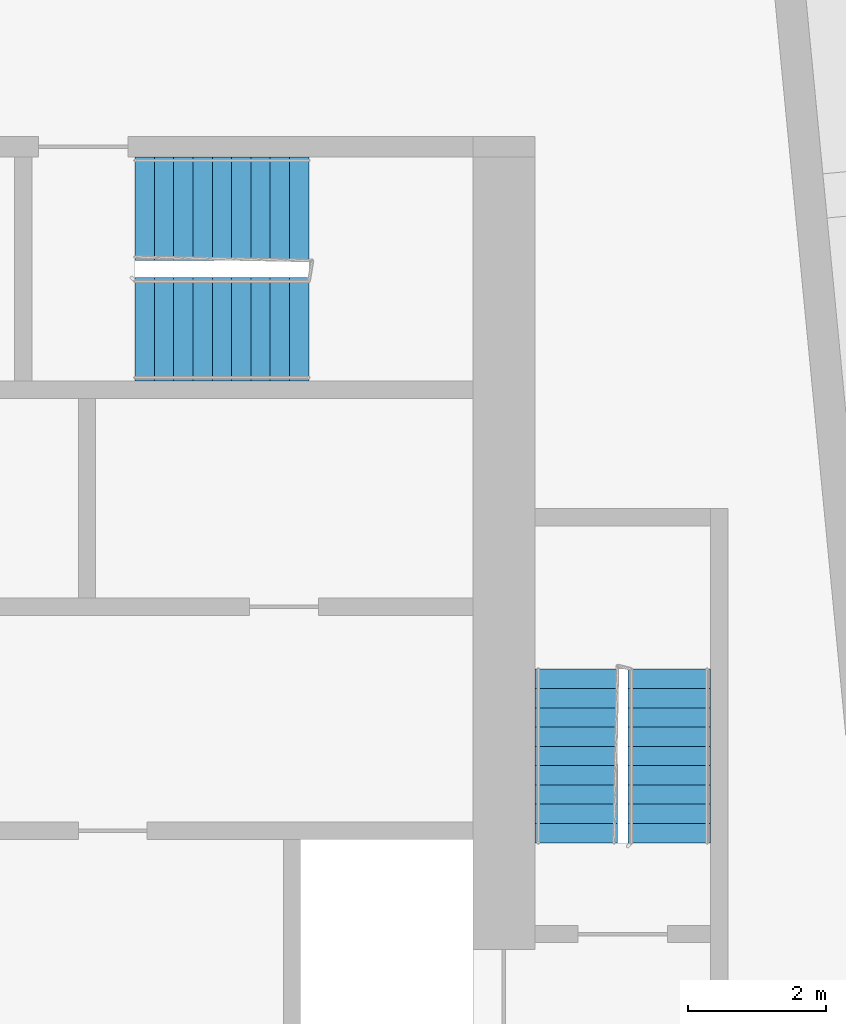
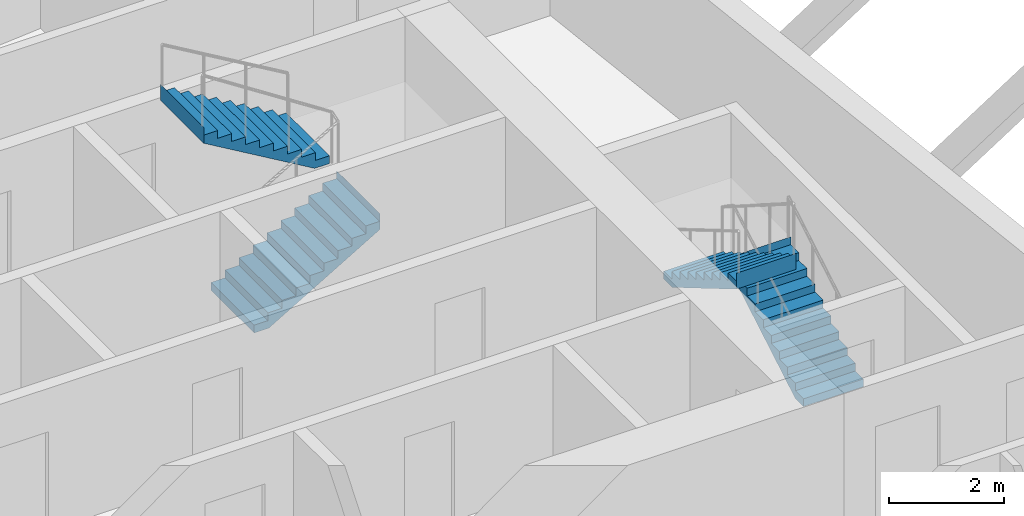
# One storey, part 10 of 12: 4 stair flights, 2 elements without a shape of their own.
"""IFC4 building model written with IfcOpenShell, lengths in metres."""

from ifc_helpers import new_model, si_unit, direction, frame, origin, place, context, subcontext, project, spatial, faceted_brep, material, type_object, element, aggregate, save


model = new_model("IFC4")

# Units and contexts
model_context = context("Model", 3, precision=1e-05, world=origin(), true_north=direction((0.0, 1.0)))
body_context = subcontext(model_context, "Body", "Model", "MODEL_VIEW")
ifc_project = project(units=[si_unit("LENGTHUNIT", "METRE"), si_unit("AREAUNIT", "SQUARE_METRE"), si_unit("VOLUMEUNIT", "CUBIC_METRE"), si_unit("PLANEANGLEUNIT", "RADIAN"), si_unit("MASSUNIT", "GRAM", prefix="KILO")], contexts=[model_context])

# Site, building, storey
site_placement = place(None, origin())
site = spatial("IfcSite", under=ifc_project, at=site_placement, CompositionType="ELEMENT")
building_placement = place(site_placement, origin())
building = spatial("IfcBuilding", under=site, at=building_placement, Name="Kajstack Hotel Tower", CompositionType="ELEMENT")
storey_placement = place(building_placement, frame((0.0, 0.0, 278.39990234375)))
storey = spatial("IfcBuildingStorey", under=building, at=storey_placement, Name="L69", CompositionType="ELEMENT", Elevation=278.39990234375)

# Stair, stair flights
ifc_material = material(Name="Concrete C40/50", Category="concrete")
stair_type_1 = type_object("IfcStairType", Name="Exit stair 1200", PredefinedType="HALF_TURN_STAIR", material=ifc_material)
stair_1_placement = place(storey_placement, origin())
stair_1 = element("IfcStair", 1, at=stair_1_placement, inside=storey, type_object=stair_type_1, Name="L69 stair E1", PredefinedType="HALF_TURN_STAIR")
stair_flight_type_1 = type_object("IfcStairFlightType", Name="Exit stair flight 1200", PredefinedType="STRAIGHT", material=ifc_material)
stair_flight_1_placement = place(storey_placement, frame((33.449951171875, 5.25, 0.0), z_axis=(0.0, 0.0, 1.0), x_axis=(0.0, 1.0, 0.0)))
stair_flight_1 = element("IfcStairFlight", 2, at=stair_flight_1_placement, type_object=stair_flight_type_1, Name="E1 flight 1", NumberOfRisers=10, NumberOfTreads=9, PredefinedType="STRAIGHT", RiserHeight=0.165, TreadLength=0.28, context=body_context, shape_type="Brep", body=[
    faceted_brep([(0.295654296875, -0.60009765625, 0.0), (2.5205078125, -0.60009765625, 1.31103515625), (2.5205078125, -0.60009765625, 1.64990234375), (2.52001953125, -0.60009765625, 1.64990234375), (2.52001953125, -0.60009765625, 1.485107421875), (2.239990234375, -0.60009765625, 1.485107421875), (2.239990234375, -0.60009765625, 1.320068359375), (1.9599609375, -0.60009765625, 1.320068359375), (1.9599609375, -0.60009765625, 1.155029296875), (1.679931640625, -0.60009765625, 1.155029296875), (1.679931640625, -0.60009765625, 0.989990234375), (1.39990234375, -0.60009765625, 0.989990234375), (1.39990234375, -0.60009765625, 0.824951171875), (1.1201171875, -0.60009765625, 0.824951171875), (1.1201171875, -0.60009765625, 0.659912109375), (0.840087890625, -0.60009765625, 0.659912109375), (0.840087890625, -0.60009765625, 0.4951171875), (0.56005859375, -0.60009765625, 0.4951171875), (0.56005859375, -0.60009765625, 0.330078125), (0.280029296875, -0.60009765625, 0.330078125), (0.280029296875, -0.60009765625, 0.1650390625), (-0.00048828125, -0.60009765625, 0.1650390625), (-0.00048828125, -0.60009765625, 0.0), (-0.00048828125, 0.60009765625, 0.0), (-0.00048828125, 0.60009765625, 0.1650390625), (0.280029296875, 0.60009765625, 0.1650390625), (0.280029296875, 0.60009765625, 0.330078125), (0.56005859375, 0.60009765625, 0.330078125), (0.56005859375, 0.60009765625, 0.4951171875), (0.840087890625, 0.60009765625, 0.4951171875), (0.840087890625, 0.60009765625, 0.659912109375), (1.1201171875, 0.60009765625, 0.659912109375), (1.1201171875, 0.60009765625, 0.824951171875), (1.39990234375, 0.60009765625, 0.824951171875), (1.39990234375, 0.60009765625, 0.989990234375), (1.679931640625, 0.60009765625, 0.989990234375), (1.679931640625, 0.60009765625, 1.155029296875), (1.9599609375, 0.60009765625, 1.155029296875), (1.9599609375, 0.60009765625, 1.320068359375), (2.239990234375, 0.60009765625, 1.320068359375), (2.239990234375, 0.60009765625, 1.485107421875), (2.52001953125, 0.60009765625, 1.485107421875), (2.52001953125, 0.60009765625, 1.64990234375), (2.5205078125, 0.60009765625, 1.64990234375), (2.5205078125, 0.60009765625, 1.31103515625), (0.295654296875, 0.60009765625, 0.0), (-0.00048828125, -0.300048828125, 0.1650390625), (-0.00048828125, 0.0, 0.1650390625), (-0.00048828125, 0.300048828125, 0.1650390625), (-0.00048828125, 0.300048828125, 0.0), (-0.00048828125, 0.0, 0.0), (-0.00048828125, -0.300048828125, 0.0), (0.280029296875, -0.300048828125, 0.1650390625), (0.280029296875, 0.0, 0.1650390625), (0.280029296875, 0.300048828125, 0.1650390625), (0.280029296875, -0.300048828125, 0.330078125), (0.280029296875, 0.0, 0.330078125), (0.280029296875, 0.300048828125, 0.330078125), (0.56005859375, -0.300048828125, 0.330078125), (0.56005859375, 0.0, 0.330078125), (0.56005859375, 0.300048828125, 0.330078125), (0.56005859375, -0.300048828125, 0.4951171875), (0.56005859375, 0.0, 0.4951171875), (0.56005859375, 0.300048828125, 0.4951171875), (0.840087890625, -0.300048828125, 0.4951171875), (0.840087890625, 0.0, 0.4951171875), (0.840087890625, 0.300048828125, 0.4951171875), (0.840087890625, -0.300048828125, 0.659912109375), (0.840087890625, 0.0, 0.659912109375), (0.840087890625, 0.300048828125, 0.659912109375), (1.1201171875, -0.300048828125, 0.659912109375), (1.1201171875, 0.0, 0.659912109375), (1.1201171875, 0.300048828125, 0.659912109375), (1.1201171875, -0.300048828125, 0.824951171875), (1.1201171875, 0.0, 0.824951171875), (1.1201171875, 0.300048828125, 0.824951171875), (1.39990234375, -0.300048828125, 0.824951171875), (1.39990234375, 0.0, 0.824951171875), (1.39990234375, 0.300048828125, 0.824951171875), (1.39990234375, -0.300048828125, 0.989990234375), (1.39990234375, 0.0, 0.989990234375), (1.39990234375, 0.300048828125, 0.989990234375), (1.679931640625, -0.300048828125, 0.989990234375), (1.679931640625, 0.0, 0.989990234375), (1.679931640625, 0.300048828125, 0.989990234375), (1.679931640625, -0.300048828125, 1.155029296875), (1.679931640625, 0.0, 1.155029296875), (1.679931640625, 0.300048828125, 1.155029296875), (1.9599609375, -0.300048828125, 1.155029296875), (1.9599609375, 0.0, 1.155029296875), (1.9599609375, 0.300048828125, 1.155029296875), (1.9599609375, -0.300048828125, 1.320068359375), (1.9599609375, 0.0, 1.320068359375), (1.9599609375, 0.300048828125, 1.320068359375), (2.239990234375, -0.300048828125, 1.320068359375), (2.239990234375, 0.0, 1.320068359375), (2.239990234375, 0.300048828125, 1.320068359375), (2.239990234375, -0.300048828125, 1.485107421875), (2.239990234375, 0.0, 1.485107421875), (2.239990234375, 0.300048828125, 1.485107421875), (2.52001953125, -0.300048828125, 1.485107421875), (2.52001953125, 0.0, 1.485107421875), (2.52001953125, 0.300048828125, 1.485107421875), (2.52001953125, -0.300048828125, 1.64990234375), (2.52001953125, 0.0, 1.64990234375), (2.52001953125, 0.300048828125, 1.64990234375), (2.5205078125, -0.300048828125, 1.64990234375), (2.5205078125, 0.0, 1.64990234375), (2.5205078125, 0.300048828125, 1.64990234375), (2.5205078125, -0.300048828125, 1.31103515625), (2.5205078125, 0.0, 1.31103515625), (2.5205078125, 0.300048828125, 1.31103515625), (0.295654296875, -0.300048828125, 0.0), (0.295654296875, 0.0, 0.0), (0.295654296875, 0.300048828125, 0.0)], [[[0, 1, 2, 3, 4, 5, 6, 7, 8, 9, 10, 11, 12, 13, 14, 15, 16, 17, 18, 19, 20, 21, 22]], [[23, 24, 25, 26, 27, 28, 29, 30, 31, 32, 33, 34, 35, 36, 37, 38, 39, 40, 41, 42, 43, 44, 45]], [[21, 46, 47, 48, 24, 23, 49, 50, 51, 22]], [[20, 52, 53, 54, 25, 24, 48, 47, 46, 21]], [[19, 55, 56, 57, 26, 25, 54, 53, 52, 20]], [[18, 58, 59, 60, 27, 26, 57, 56, 55, 19]], [[17, 61, 62, 63, 28, 27, 60, 59, 58, 18]], [[16, 64, 65, 66, 29, 28, 63, 62, 61, 17]], [[15, 67, 68, 69, 30, 29, 66, 65, 64, 16]], [[14, 70, 71, 72, 31, 30, 69, 68, 67, 15]], [[13, 73, 74, 75, 32, 31, 72, 71, 70, 14]], [[12, 76, 77, 78, 33, 32, 75, 74, 73, 13]], [[11, 79, 80, 81, 34, 33, 78, 77, 76, 12]], [[10, 82, 83, 84, 35, 34, 81, 80, 79, 11]], [[9, 85, 86, 87, 36, 35, 84, 83, 82, 10]], [[8, 88, 89, 90, 37, 36, 87, 86, 85, 9]], [[7, 91, 92, 93, 38, 37, 90, 89, 88, 8]], [[6, 94, 95, 96, 39, 38, 93, 92, 91, 7]], [[5, 97, 98, 99, 40, 39, 96, 95, 94, 6]], [[4, 100, 101, 102, 41, 40, 99, 98, 97, 5]], [[3, 103, 104, 105, 42, 41, 102, 101, 100, 4]], [[2, 106, 107, 108, 43, 42, 105, 104, 103, 3]], [[1, 109, 110, 111, 44, 43, 108, 107, 106, 2]], [[0, 112, 113, 114, 45, 44, 111, 110, 109, 1]], [[22, 51, 50, 49, 23, 45, 114, 113, 112, 0]]]),
])
stair_flight_2_placement = place(storey_placement, frame((32.10009765625, 7.77001953125, 1.650146484375), z_axis=(0.0, 0.0, 1.0), x_axis=(0.0, -1.0, 0.0)))
stair_flight_2 = element("IfcStairFlight", 3, at=stair_flight_2_placement, type_object=stair_flight_type_1, Name="E1 flight 2", NumberOfRisers=10, NumberOfTreads=9, PredefinedType="STRAIGHT", RiserHeight=0.165, TreadLength=0.28, context=body_context, shape_type="Brep", body=[
    faceted_brep([(0.295654296875, -0.60009765625, 0.0), (2.5205078125, -0.60009765625, 1.31103515625), (2.5205078125, -0.60009765625, 1.64990234375), (2.52001953125, -0.60009765625, 1.64990234375), (2.52001953125, -0.60009765625, 1.485107421875), (2.239990234375, -0.60009765625, 1.485107421875), (2.239990234375, -0.60009765625, 1.320068359375), (1.9599609375, -0.60009765625, 1.320068359375), (1.9599609375, -0.60009765625, 1.155029296875), (1.679931640625, -0.60009765625, 1.155029296875), (1.679931640625, -0.60009765625, 0.989990234375), (1.39990234375, -0.60009765625, 0.989990234375), (1.39990234375, -0.60009765625, 0.824951171875), (1.1201171875, -0.60009765625, 0.824951171875), (1.1201171875, -0.60009765625, 0.659912109375), (0.840087890625, -0.60009765625, 0.659912109375), (0.840087890625, -0.60009765625, 0.4951171875), (0.56005859375, -0.60009765625, 0.4951171875), (0.56005859375, -0.60009765625, 0.330078125), (0.280029296875, -0.60009765625, 0.330078125), (0.280029296875, -0.60009765625, 0.1650390625), (-0.00048828125, -0.60009765625, 0.1650390625), (-0.00048828125, -0.60009765625, 0.0), (-0.00048828125, 0.60009765625, 0.0), (-0.00048828125, 0.60009765625, 0.1650390625), (0.280029296875, 0.60009765625, 0.1650390625), (0.280029296875, 0.60009765625, 0.330078125), (0.56005859375, 0.60009765625, 0.330078125), (0.56005859375, 0.60009765625, 0.4951171875), (0.840087890625, 0.60009765625, 0.4951171875), (0.840087890625, 0.60009765625, 0.659912109375), (1.1201171875, 0.60009765625, 0.659912109375), (1.1201171875, 0.60009765625, 0.824951171875), (1.39990234375, 0.60009765625, 0.824951171875), (1.39990234375, 0.60009765625, 0.989990234375), (1.679931640625, 0.60009765625, 0.989990234375), (1.679931640625, 0.60009765625, 1.155029296875), (1.9599609375, 0.60009765625, 1.155029296875), (1.9599609375, 0.60009765625, 1.320068359375), (2.239990234375, 0.60009765625, 1.320068359375), (2.239990234375, 0.60009765625, 1.485107421875), (2.52001953125, 0.60009765625, 1.485107421875), (2.52001953125, 0.60009765625, 1.64990234375), (2.5205078125, 0.60009765625, 1.64990234375), (2.5205078125, 0.60009765625, 1.31103515625), (0.295654296875, 0.60009765625, 0.0), (-0.00048828125, -0.300048828125, 0.1650390625), (-0.00048828125, 0.0, 0.1650390625), (-0.00048828125, 0.300048828125, 0.1650390625), (-0.00048828125, 0.300048828125, 0.0), (-0.00048828125, 0.0, 0.0), (-0.00048828125, -0.300048828125, 0.0), (0.280029296875, -0.300048828125, 0.1650390625), (0.280029296875, 0.0, 0.1650390625), (0.280029296875, 0.300048828125, 0.1650390625), (0.280029296875, -0.300048828125, 0.330078125), (0.280029296875, 0.0, 0.330078125), (0.280029296875, 0.300048828125, 0.330078125), (0.56005859375, -0.300048828125, 0.330078125), (0.56005859375, 0.0, 0.330078125), (0.56005859375, 0.300048828125, 0.330078125), (0.56005859375, -0.300048828125, 0.4951171875), (0.56005859375, 0.0, 0.4951171875), (0.56005859375, 0.300048828125, 0.4951171875), (0.840087890625, -0.300048828125, 0.4951171875), (0.840087890625, 0.0, 0.4951171875), (0.840087890625, 0.300048828125, 0.4951171875), (0.840087890625, -0.300048828125, 0.659912109375), (0.840087890625, 0.0, 0.659912109375), (0.840087890625, 0.300048828125, 0.659912109375), (1.1201171875, -0.300048828125, 0.659912109375), (1.1201171875, 0.0, 0.659912109375), (1.1201171875, 0.300048828125, 0.659912109375), (1.1201171875, -0.300048828125, 0.824951171875), (1.1201171875, 0.0, 0.824951171875), (1.1201171875, 0.300048828125, 0.824951171875), (1.39990234375, -0.300048828125, 0.824951171875), (1.39990234375, 0.0, 0.824951171875), (1.39990234375, 0.300048828125, 0.824951171875), (1.39990234375, -0.300048828125, 0.989990234375), (1.39990234375, 0.0, 0.989990234375), (1.39990234375, 0.300048828125, 0.989990234375), (1.679931640625, -0.300048828125, 0.989990234375), (1.679931640625, 0.0, 0.989990234375), (1.679931640625, 0.300048828125, 0.989990234375), (1.679931640625, -0.300048828125, 1.155029296875), (1.679931640625, 0.0, 1.155029296875), (1.679931640625, 0.300048828125, 1.155029296875), (1.9599609375, -0.300048828125, 1.155029296875), (1.9599609375, 0.0, 1.155029296875), (1.9599609375, 0.300048828125, 1.155029296875), (1.9599609375, -0.300048828125, 1.320068359375), (1.9599609375, 0.0, 1.320068359375), (1.9599609375, 0.300048828125, 1.320068359375), (2.239990234375, -0.300048828125, 1.320068359375), (2.239990234375, 0.0, 1.320068359375), (2.239990234375, 0.300048828125, 1.320068359375), (2.239990234375, -0.300048828125, 1.485107421875), (2.239990234375, 0.0, 1.485107421875), (2.239990234375, 0.300048828125, 1.485107421875), (2.52001953125, -0.300048828125, 1.485107421875), (2.52001953125, 0.0, 1.485107421875), (2.52001953125, 0.300048828125, 1.485107421875), (2.52001953125, -0.300048828125, 1.64990234375), (2.52001953125, 0.0, 1.64990234375), (2.52001953125, 0.300048828125, 1.64990234375), (2.5205078125, -0.300048828125, 1.64990234375), (2.5205078125, 0.0, 1.64990234375), (2.5205078125, 0.300048828125, 1.64990234375), (2.5205078125, -0.300048828125, 1.31103515625), (2.5205078125, 0.0, 1.31103515625), (2.5205078125, 0.300048828125, 1.31103515625), (0.295654296875, -0.300048828125, 0.0), (0.295654296875, 0.0, 0.0), (0.295654296875, 0.300048828125, 0.0)], [[[0, 1, 2, 3, 4, 5, 6, 7, 8, 9, 10, 11, 12, 13, 14, 15, 16, 17, 18, 19, 20, 21, 22]], [[23, 24, 25, 26, 27, 28, 29, 30, 31, 32, 33, 34, 35, 36, 37, 38, 39, 40, 41, 42, 43, 44, 45]], [[21, 46, 47, 48, 24, 23, 49, 50, 51, 22]], [[20, 52, 53, 54, 25, 24, 48, 47, 46, 21]], [[19, 55, 56, 57, 26, 25, 54, 53, 52, 20]], [[18, 58, 59, 60, 27, 26, 57, 56, 55, 19]], [[17, 61, 62, 63, 28, 27, 60, 59, 58, 18]], [[16, 64, 65, 66, 29, 28, 63, 62, 61, 17]], [[15, 67, 68, 69, 30, 29, 66, 65, 64, 16]], [[14, 70, 71, 72, 31, 30, 69, 68, 67, 15]], [[13, 73, 74, 75, 32, 31, 72, 71, 70, 14]], [[12, 76, 77, 78, 33, 32, 75, 74, 73, 13]], [[11, 79, 80, 81, 34, 33, 78, 77, 76, 12]], [[10, 82, 83, 84, 35, 34, 81, 80, 79, 11]], [[9, 85, 86, 87, 36, 35, 84, 83, 82, 10]], [[8, 88, 89, 90, 37, 36, 87, 86, 85, 9]], [[7, 91, 92, 93, 38, 37, 90, 89, 88, 8]], [[6, 94, 95, 96, 39, 38, 93, 92, 91, 7]], [[5, 97, 98, 99, 40, 39, 96, 95, 94, 6]], [[4, 100, 101, 102, 41, 40, 99, 98, 97, 5]], [[3, 103, 104, 105, 42, 41, 102, 101, 100, 4]], [[2, 106, 107, 108, 43, 42, 105, 104, 103, 3]], [[1, 109, 110, 111, 44, 43, 108, 107, 106, 2]], [[0, 112, 113, 114, 45, 44, 111, 110, 109, 1]], [[22, 51, 50, 49, 23, 45, 114, 113, 112, 0]]]),
])
aggregate(stair_1, [stair_flight_1, stair_flight_2])

stair_type_2 = type_object("IfcStairType", Name="Exit stair 1500", PredefinedType="HALF_TURN_STAIR", material=ifc_material)
stair_2_placement = place(storey_placement, origin())
stair_2 = element("IfcStair", 4, at=stair_2_placement, inside=storey, type_object=stair_type_2, Name="L69 stair E3", PredefinedType="HALF_TURN_STAIR")
stair_flight_type_2 = type_object("IfcStairFlightType", Name="Exit stair flight 1500", PredefinedType="STRAIGHT", material=ifc_material)
stair_flight_3_placement = place(storey_placement, frame((25.699951171875, 12.699951171875, 0.0), z_axis=(0.0, 0.0, 1.0), x_axis=(1.0, 0.0, 0.0)))
stair_flight_3 = element("IfcStairFlight", 5, at=stair_flight_3_placement, type_object=stair_flight_type_2, Name="E3 flight 1", NumberOfRisers=10, NumberOfTreads=9, PredefinedType="STRAIGHT", RiserHeight=0.165, TreadLength=0.28, context=body_context, shape_type="Brep", body=[
    faceted_brep([(0.295654296875, -0.75, 0.0), (2.5205078125, -0.75, 1.31103515625), (2.5205078125, -0.75, 1.64990234375), (2.52001953125, -0.75, 1.64990234375), (2.52001953125, -0.75, 1.485107421875), (2.239990234375, -0.75, 1.485107421875), (2.239990234375, -0.75, 1.320068359375), (1.9599609375, -0.75, 1.320068359375), (1.9599609375, -0.75, 1.155029296875), (1.679931640625, -0.75, 1.155029296875), (1.679931640625, -0.75, 0.989990234375), (1.39990234375, -0.75, 0.989990234375), (1.39990234375, -0.75, 0.824951171875), (1.1201171875, -0.75, 0.824951171875), (1.1201171875, -0.75, 0.659912109375), (0.840087890625, -0.75, 0.659912109375), (0.840087890625, -0.75, 0.4951171875), (0.56005859375, -0.75, 0.4951171875), (0.56005859375, -0.75, 0.330078125), (0.280029296875, -0.75, 0.330078125), (0.280029296875, -0.75, 0.1650390625), (-0.00048828125, -0.75, 0.1650390625), (-0.00048828125, -0.75, 0.0), (-0.00048828125, 0.75, 0.0), (-0.00048828125, 0.75, 0.1650390625), (0.280029296875, 0.75, 0.1650390625), (0.280029296875, 0.75, 0.330078125), (0.56005859375, 0.75, 0.330078125), (0.56005859375, 0.75, 0.4951171875), (0.840087890625, 0.75, 0.4951171875), (0.840087890625, 0.75, 0.659912109375), (1.1201171875, 0.75, 0.659912109375), (1.1201171875, 0.75, 0.824951171875), (1.39990234375, 0.75, 0.824951171875), (1.39990234375, 0.75, 0.989990234375), (1.679931640625, 0.75, 0.989990234375), (1.679931640625, 0.75, 1.155029296875), (1.9599609375, 0.75, 1.155029296875), (1.9599609375, 0.75, 1.320068359375), (2.239990234375, 0.75, 1.320068359375), (2.239990234375, 0.75, 1.485107421875), (2.52001953125, 0.75, 1.485107421875), (2.52001953125, 0.75, 1.64990234375), (2.5205078125, 0.75, 1.64990234375), (2.5205078125, 0.75, 1.31103515625), (0.295654296875, 0.75, 0.0), (-0.00048828125, -0.375, 0.1650390625), (-0.00048828125, 0.0, 0.1650390625), (-0.00048828125, 0.375, 0.1650390625), (-0.00048828125, 0.375, 0.0), (-0.00048828125, 0.0, 0.0), (-0.00048828125, -0.375, 0.0), (0.280029296875, -0.375, 0.1650390625), (0.280029296875, 0.0, 0.1650390625), (0.280029296875, 0.375, 0.1650390625), (0.280029296875, -0.375, 0.330078125), (0.280029296875, 0.0, 0.330078125), (0.280029296875, 0.375, 0.330078125), (0.56005859375, -0.375, 0.330078125), (0.56005859375, 0.0, 0.330078125), (0.56005859375, 0.375, 0.330078125), (0.56005859375, -0.375, 0.4951171875), (0.56005859375, 0.0, 0.4951171875), (0.56005859375, 0.375, 0.4951171875), (0.840087890625, -0.375, 0.4951171875), (0.840087890625, 0.0, 0.4951171875), (0.840087890625, 0.375, 0.4951171875), (0.840087890625, -0.375, 0.659912109375), (0.840087890625, 0.0, 0.659912109375), (0.840087890625, 0.375, 0.659912109375), (1.1201171875, -0.375, 0.659912109375), (1.1201171875, 0.0, 0.659912109375), (1.1201171875, 0.375, 0.659912109375), (1.1201171875, -0.375, 0.824951171875), (1.1201171875, 0.0, 0.824951171875), (1.1201171875, 0.375, 0.824951171875), (1.39990234375, -0.375, 0.824951171875), (1.39990234375, 0.0, 0.824951171875), (1.39990234375, 0.375, 0.824951171875), (1.39990234375, -0.375, 0.989990234375), (1.39990234375, 0.0, 0.989990234375), (1.39990234375, 0.375, 0.989990234375), (1.679931640625, -0.375, 0.989990234375), (1.679931640625, 0.0, 0.989990234375), (1.679931640625, 0.375, 0.989990234375), (1.679931640625, -0.375, 1.155029296875), (1.679931640625, 0.0, 1.155029296875), (1.679931640625, 0.375, 1.155029296875), (1.9599609375, -0.375, 1.155029296875), (1.9599609375, 0.0, 1.155029296875), (1.9599609375, 0.375, 1.155029296875), (1.9599609375, -0.375, 1.320068359375), (1.9599609375, 0.0, 1.320068359375), (1.9599609375, 0.375, 1.320068359375), (2.239990234375, -0.375, 1.320068359375), (2.239990234375, 0.0, 1.320068359375), (2.239990234375, 0.375, 1.320068359375), (2.239990234375, -0.375, 1.485107421875), (2.239990234375, 0.0, 1.485107421875), (2.239990234375, 0.375, 1.485107421875), (2.52001953125, -0.375, 1.485107421875), (2.52001953125, 0.0, 1.485107421875), (2.52001953125, 0.375, 1.485107421875), (2.52001953125, -0.375, 1.64990234375), (2.52001953125, 0.0, 1.64990234375), (2.52001953125, 0.375, 1.64990234375), (2.5205078125, -0.375, 1.64990234375), (2.5205078125, 0.0, 1.64990234375), (2.5205078125, 0.375, 1.64990234375), (2.5205078125, -0.375, 1.31103515625), (2.5205078125, 0.0, 1.31103515625), (2.5205078125, 0.375, 1.31103515625), (0.295654296875, -0.375, 0.0), (0.295654296875, 0.0, 0.0), (0.295654296875, 0.375, 0.0)], [[[0, 1, 2, 3, 4, 5, 6, 7, 8, 9, 10, 11, 12, 13, 14, 15, 16, 17, 18, 19, 20, 21, 22]], [[23, 24, 25, 26, 27, 28, 29, 30, 31, 32, 33, 34, 35, 36, 37, 38, 39, 40, 41, 42, 43, 44, 45]], [[21, 46, 47, 48, 24, 23, 49, 50, 51, 22]], [[20, 52, 53, 54, 25, 24, 48, 47, 46, 21]], [[19, 55, 56, 57, 26, 25, 54, 53, 52, 20]], [[18, 58, 59, 60, 27, 26, 57, 56, 55, 19]], [[17, 61, 62, 63, 28, 27, 60, 59, 58, 18]], [[16, 64, 65, 66, 29, 28, 63, 62, 61, 17]], [[15, 67, 68, 69, 30, 29, 66, 65, 64, 16]], [[14, 70, 71, 72, 31, 30, 69, 68, 67, 15]], [[13, 73, 74, 75, 32, 31, 72, 71, 70, 14]], [[12, 76, 77, 78, 33, 32, 75, 74, 73, 13]], [[11, 79, 80, 81, 34, 33, 78, 77, 76, 12]], [[10, 82, 83, 84, 35, 34, 81, 80, 79, 11]], [[9, 85, 86, 87, 36, 35, 84, 83, 82, 10]], [[8, 88, 89, 90, 37, 36, 87, 86, 85, 9]], [[7, 91, 92, 93, 38, 37, 90, 89, 88, 8]], [[6, 94, 95, 96, 39, 38, 93, 92, 91, 7]], [[5, 97, 98, 99, 40, 39, 96, 95, 94, 6]], [[4, 100, 101, 102, 41, 40, 99, 98, 97, 5]], [[3, 103, 104, 105, 42, 41, 102, 101, 100, 4]], [[2, 106, 107, 108, 43, 42, 105, 104, 103, 3]], [[1, 109, 110, 111, 44, 43, 108, 107, 106, 2]], [[0, 112, 113, 114, 45, 44, 111, 110, 109, 1]], [[22, 51, 50, 49, 23, 45, 114, 113, 112, 0]]]),
])
stair_flight_4_placement = place(storey_placement, frame((28.219970703125, 14.449951171875, 1.650146484375), z_axis=(0.0, 0.0, 1.0), x_axis=(-1.0, 0.0, 0.0)))
stair_flight_4 = element("IfcStairFlight", 6, at=stair_flight_4_placement, type_object=stair_flight_type_2, Name="E3 flight 2", NumberOfRisers=10, NumberOfTreads=9, PredefinedType="STRAIGHT", RiserHeight=0.165, TreadLength=0.28, context=body_context, shape_type="Brep", body=[
    faceted_brep([(0.295654296875, -0.75, 0.0), (2.5205078125, -0.75, 1.31103515625), (2.5205078125, -0.75, 1.64990234375), (2.52001953125, -0.75, 1.64990234375), (2.52001953125, -0.75, 1.485107421875), (2.239990234375, -0.75, 1.485107421875), (2.239990234375, -0.75, 1.320068359375), (1.9599609375, -0.75, 1.320068359375), (1.9599609375, -0.75, 1.155029296875), (1.679931640625, -0.75, 1.155029296875), (1.679931640625, -0.75, 0.989990234375), (1.39990234375, -0.75, 0.989990234375), (1.39990234375, -0.75, 0.824951171875), (1.1201171875, -0.75, 0.824951171875), (1.1201171875, -0.75, 0.659912109375), (0.840087890625, -0.75, 0.659912109375), (0.840087890625, -0.75, 0.4951171875), (0.56005859375, -0.75, 0.4951171875), (0.56005859375, -0.75, 0.330078125), (0.280029296875, -0.75, 0.330078125), (0.280029296875, -0.75, 0.1650390625), (-0.00048828125, -0.75, 0.1650390625), (-0.00048828125, -0.75, 0.0), (-0.00048828125, 0.75, 0.0), (-0.00048828125, 0.75, 0.1650390625), (0.280029296875, 0.75, 0.1650390625), (0.280029296875, 0.75, 0.330078125), (0.56005859375, 0.75, 0.330078125), (0.56005859375, 0.75, 0.4951171875), (0.840087890625, 0.75, 0.4951171875), (0.840087890625, 0.75, 0.659912109375), (1.1201171875, 0.75, 0.659912109375), (1.1201171875, 0.75, 0.824951171875), (1.39990234375, 0.75, 0.824951171875), (1.39990234375, 0.75, 0.989990234375), (1.679931640625, 0.75, 0.989990234375), (1.679931640625, 0.75, 1.155029296875), (1.9599609375, 0.75, 1.155029296875), (1.9599609375, 0.75, 1.320068359375), (2.239990234375, 0.75, 1.320068359375), (2.239990234375, 0.75, 1.485107421875), (2.52001953125, 0.75, 1.485107421875), (2.52001953125, 0.75, 1.64990234375), (2.5205078125, 0.75, 1.64990234375), (2.5205078125, 0.75, 1.31103515625), (0.295654296875, 0.75, 0.0), (-0.00048828125, -0.375, 0.1650390625), (-0.00048828125, 0.0, 0.1650390625), (-0.00048828125, 0.375, 0.1650390625), (-0.00048828125, 0.375, 0.0), (-0.00048828125, 0.0, 0.0), (-0.00048828125, -0.375, 0.0), (0.280029296875, -0.375, 0.1650390625), (0.280029296875, 0.0, 0.1650390625), (0.280029296875, 0.375, 0.1650390625), (0.280029296875, -0.375, 0.330078125), (0.280029296875, 0.0, 0.330078125), (0.280029296875, 0.375, 0.330078125), (0.56005859375, -0.375, 0.330078125), (0.56005859375, 0.0, 0.330078125), (0.56005859375, 0.375, 0.330078125), (0.56005859375, -0.375, 0.4951171875), (0.56005859375, 0.0, 0.4951171875), (0.56005859375, 0.375, 0.4951171875), (0.840087890625, -0.375, 0.4951171875), (0.840087890625, 0.0, 0.4951171875), (0.840087890625, 0.375, 0.4951171875), (0.840087890625, -0.375, 0.659912109375), (0.840087890625, 0.0, 0.659912109375), (0.840087890625, 0.375, 0.659912109375), (1.1201171875, -0.375, 0.659912109375), (1.1201171875, 0.0, 0.659912109375), (1.1201171875, 0.375, 0.659912109375), (1.1201171875, -0.375, 0.824951171875), (1.1201171875, 0.0, 0.824951171875), (1.1201171875, 0.375, 0.824951171875), (1.39990234375, -0.375, 0.824951171875), (1.39990234375, 0.0, 0.824951171875), (1.39990234375, 0.375, 0.824951171875), (1.39990234375, -0.375, 0.989990234375), (1.39990234375, 0.0, 0.989990234375), (1.39990234375, 0.375, 0.989990234375), (1.679931640625, -0.375, 0.989990234375), (1.679931640625, 0.0, 0.989990234375), (1.679931640625, 0.375, 0.989990234375), (1.679931640625, -0.375, 1.155029296875), (1.679931640625, 0.0, 1.155029296875), (1.679931640625, 0.375, 1.155029296875), (1.9599609375, -0.375, 1.155029296875), (1.9599609375, 0.0, 1.155029296875), (1.9599609375, 0.375, 1.155029296875), (1.9599609375, -0.375, 1.320068359375), (1.9599609375, 0.0, 1.320068359375), (1.9599609375, 0.375, 1.320068359375), (2.239990234375, -0.375, 1.320068359375), (2.239990234375, 0.0, 1.320068359375), (2.239990234375, 0.375, 1.320068359375), (2.239990234375, -0.375, 1.485107421875), (2.239990234375, 0.0, 1.485107421875), (2.239990234375, 0.375, 1.485107421875), (2.52001953125, -0.375, 1.485107421875), (2.52001953125, 0.0, 1.485107421875), (2.52001953125, 0.375, 1.485107421875), (2.52001953125, -0.375, 1.64990234375), (2.52001953125, 0.0, 1.64990234375), (2.52001953125, 0.375, 1.64990234375), (2.5205078125, -0.375, 1.64990234375), (2.5205078125, 0.0, 1.64990234375), (2.5205078125, 0.375, 1.64990234375), (2.5205078125, -0.375, 1.31103515625), (2.5205078125, 0.0, 1.31103515625), (2.5205078125, 0.375, 1.31103515625), (0.295654296875, -0.375, 0.0), (0.295654296875, 0.0, 0.0), (0.295654296875, 0.375, 0.0)], [[[0, 1, 2, 3, 4, 5, 6, 7, 8, 9, 10, 11, 12, 13, 14, 15, 16, 17, 18, 19, 20, 21, 22]], [[23, 24, 25, 26, 27, 28, 29, 30, 31, 32, 33, 34, 35, 36, 37, 38, 39, 40, 41, 42, 43, 44, 45]], [[21, 46, 47, 48, 24, 23, 49, 50, 51, 22]], [[20, 52, 53, 54, 25, 24, 48, 47, 46, 21]], [[19, 55, 56, 57, 26, 25, 54, 53, 52, 20]], [[18, 58, 59, 60, 27, 26, 57, 56, 55, 19]], [[17, 61, 62, 63, 28, 27, 60, 59, 58, 18]], [[16, 64, 65, 66, 29, 28, 63, 62, 61, 17]], [[15, 67, 68, 69, 30, 29, 66, 65, 64, 16]], [[14, 70, 71, 72, 31, 30, 69, 68, 67, 15]], [[13, 73, 74, 75, 32, 31, 72, 71, 70, 14]], [[12, 76, 77, 78, 33, 32, 75, 74, 73, 13]], [[11, 79, 80, 81, 34, 33, 78, 77, 76, 12]], [[10, 82, 83, 84, 35, 34, 81, 80, 79, 11]], [[9, 85, 86, 87, 36, 35, 84, 83, 82, 10]], [[8, 88, 89, 90, 37, 36, 87, 86, 85, 9]], [[7, 91, 92, 93, 38, 37, 90, 89, 88, 8]], [[6, 94, 95, 96, 39, 38, 93, 92, 91, 7]], [[5, 97, 98, 99, 40, 39, 96, 95, 94, 6]], [[4, 100, 101, 102, 41, 40, 99, 98, 97, 5]], [[3, 103, 104, 105, 42, 41, 102, 101, 100, 4]], [[2, 106, 107, 108, 43, 42, 105, 104, 103, 3]], [[1, 109, 110, 111, 44, 43, 108, 107, 106, 2]], [[0, 112, 113, 114, 45, 44, 111, 110, 109, 1]], [[22, 51, 50, 49, 23, 45, 114, 113, 112, 0]]]),
])
aggregate(stair_2, [stair_flight_3, stair_flight_4])

save(model, "model.ifc")
